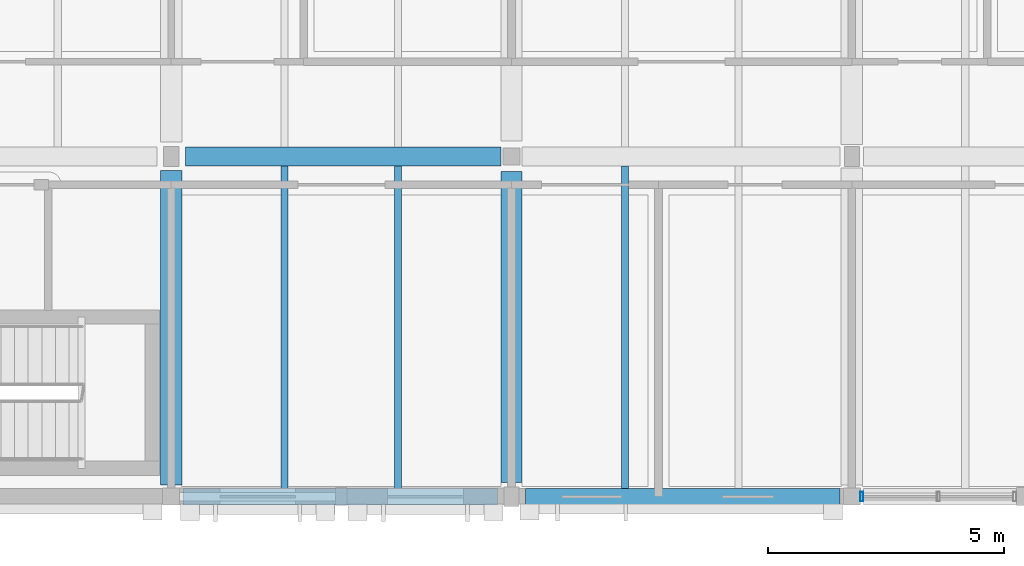
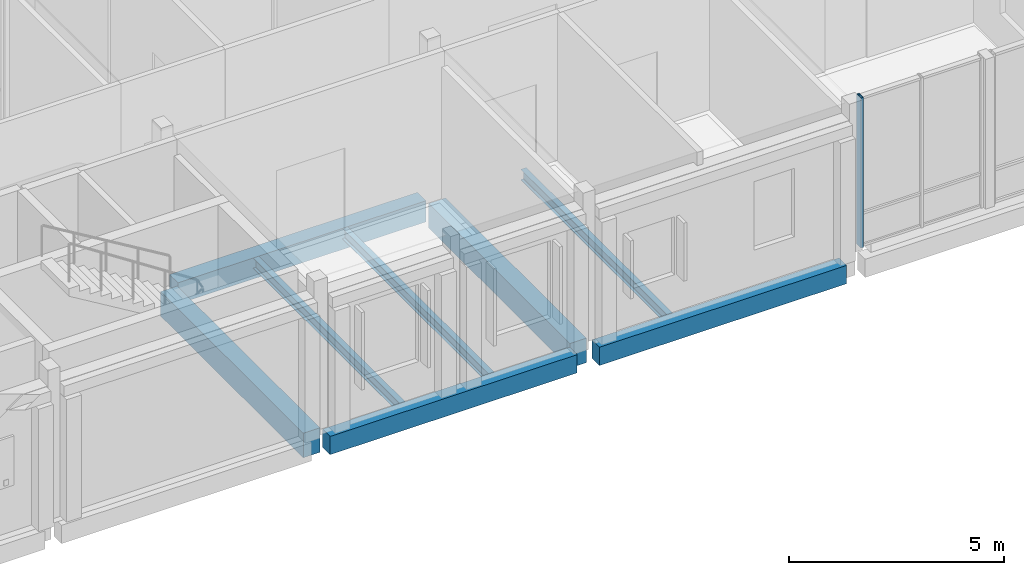
# One storey, part 18 of 146: 8 beams, 1 member, 1 element without a shape of its own.
"""IFC4 building model written with IfcOpenShell, lengths in metres."""

from ifc_helpers import new_model, si_unit, direction, frame, origin, origin_2d, place, context, subcontext, project, spatial, rectangle, hollow_rectangle, i_section, extrude, material, material_profile, profile_set, type_object, element, aggregate, save


model = new_model("IFC4")

# Units and contexts
model_context = context("Model", 3, precision=1e-05, world=origin(), true_north=direction((0.0, 1.0)))
body_context = subcontext(model_context, "Body", "Model", "MODEL_VIEW")
ifc_project = project(units=[si_unit("LENGTHUNIT", "METRE"), si_unit("AREAUNIT", "SQUARE_METRE"), si_unit("VOLUMEUNIT", "CUBIC_METRE"), si_unit("PLANEANGLEUNIT", "RADIAN"), si_unit("MASSUNIT", "GRAM", prefix="KILO")], contexts=[model_context])

# Site, building, storey
site_placement = place(None, origin())
site = spatial("IfcSite", under=ifc_project, at=site_placement, CompositionType="ELEMENT")
building_placement = place(site_placement, origin())
building = spatial("IfcBuilding", under=site, at=building_placement, Name="Hawrajan Terrace Health Centre", CompositionType="ELEMENT")
storey_placement = place(building_placement, frame((0.0, 0.0, 4.5)))
storey = spatial("IfcBuildingStorey", under=building, at=storey_placement, Name="L01", CompositionType="ELEMENT", Elevation=4.5)

# Curtain wall, member
ifc_material_1 = material(Name="Anodized bronze aluminium and low-E solar glazing", Category="aluminium")
curtain_wall_type = type_object("IfcCurtainWallType", Name="CW_Pavilion_SeriesE2", PredefinedType="USERDEFINED", material=ifc_material_1)
curtain_wall_placement = place(storey_placement, origin())
curtain_wall = element("IfcCurtainWall", 1, at=curtain_wall_placement, inside=storey, type_object=curtain_wall_type, Name="Curtain wall CW-L01-061", ObjectType="UNITISED CURTAIN WALL", PredefinedType="USERDEFINED")
ifc_material_2 = material(Name="Anodized bronze aluminium 6063-T6", Category="aluminium")
ifc_material_profile_1 = material_profile(ifc_material_2, hollow_rectangle(XDim=0.06494140625, YDim=0.199951171875, WallThickness=0.00439453125, at=origin_2d()), Name="CW MUL 65x200")
ifc_profile_set_1 = profile_set([ifc_material_profile_1], Name="Anodized bronze aluminium 6063-T6")
member_type = type_object("IfcMemberType", Name="CWMullion_65x200", PredefinedType="MULLION", material=ifc_profile_set_1)
member_placement = place(storey_placement, frame((33.612548828125, 4.199951171875, -0.0048828125), z_axis=(0.0, 0.0, 1.0), x_axis=(1.0, 0.0, 0.0)))
member = element("IfcMember", 2, at=member_placement, type_object=member_type, Name="Mullion CW-L01-061-M1", PredefinedType="MULLION", context=body_context, shape_type="SweptSolid", body=[
    extrude(hollow_rectangle(XDim=0.06494140625, YDim=0.199951171875, WallThickness=0.00439453125, at=origin_2d()), origin(), (0.0, 0.0, 1.0), 4.269775390625),
])
aggregate(curtain_wall, [member])

# Beams
ifc_material_3 = material(Name="Concrete C40/50", Category="concrete")
ifc_material_profile_2 = material_profile(ifc_material_3, rectangle(XDim=0.39990234375, YDim=0.60009765625, at=origin_2d()), Name="RC BM 400x600")
ifc_profile_set_2 = profile_set([ifc_material_profile_2], Name="Concrete C40/50")
beam_type_1 = type_object("IfcBeamType", Name="RCGirder_400x600", PredefinedType="BEAM", material=ifc_profile_set_2)
beam_1_placement = place(storey_placement, frame((19.300048828125, 11.39990234375, -0.60009765625), z_axis=(1.0, 0.0, 0.0), x_axis=(0.0, 1.0, 0.0)))
element("IfcBeam", 3, at=beam_1_placement, inside=storey, type_object=beam_type_1, Name="Beam BM-X-L01-W-03-Y2", PredefinedType="BEAM", context=body_context, shape_type="SweptSolid", body=[
    extrude(rectangle(XDim=0.39990234375, YDim=0.60009765625, at=origin_2d()), origin(), (0.0, 0.0, 1.0), 6.675048828125),
])
ifc_material_profile_3 = material_profile(ifc_material_3, rectangle(XDim=0.449951171875, YDim=0.699951171875, at=origin_2d()), Name="RC BM 450x700")
ifc_profile_set_3 = profile_set([ifc_material_profile_3], Name="Concrete C40/50")
beam_type_2 = type_object("IfcBeamType", Name="RCGirder_450x700", PredefinedType="BEAM", material=ifc_profile_set_3)
beam_2_placement = place(storey_placement, frame((19.0, 4.449951171875, -0.64990234375), z_axis=(0.0, 1.0, 0.0), x_axis=(-1.0, 0.0, 0.0)))
element("IfcBeam", 4, at=beam_2_placement, inside=storey, type_object=beam_type_2, Name="Beam BM-Y-L01-W-X03-1", PredefinedType="BEAM", context=body_context, shape_type="SweptSolid", body=[
    extrude(rectangle(XDim=0.449951171875, YDim=0.699951171875, at=origin_2d()), origin(), (0.0, 0.0, 1.0), 6.650146484375),
])
beam_3_placement = place(storey_placement, frame((26.199951171875, 4.5, -0.64990234375), z_axis=(0.0, 1.0, 0.0), x_axis=(-1.0, 0.0, 0.0)))
element("IfcBeam", 5, at=beam_3_placement, inside=storey, type_object=beam_type_2, Name="Beam BM-Y-L01-W-X04-1", PredefinedType="BEAM", context=body_context, shape_type="SweptSolid", body=[
    extrude(rectangle(XDim=0.449951171875, YDim=0.699951171875, at=origin_2d()), origin(), (0.0, 0.0, 1.0), 6.574951171875),
])
ifc_material_profile_4 = material_profile(ifc_material_3, rectangle(XDim=0.35009765625, YDim=0.52001953125, at=origin_2d()), Name="RC SP 350x520")
ifc_profile_set_4 = profile_set([ifc_material_profile_4], Name="Concrete C40/50")
beam_type_3 = type_object("IfcBeamType", Name="RCSpandrel_350x520", PredefinedType="SPANDREL", material=ifc_profile_set_4)
for number, where, z_axis, x_axis, name in (
    (6, (19.25, 4.199951171875, -0.56005859375), (1.0, 0.0, 0.0), (0.0, 1.0, 0.0), "Beam BM-X-L01-W-03-Y1"),
    (7, (26.5, 4.199951171875, -0.56005859375), (1.0, 0.0, 0.0), (0.0, 1.0, 0.0), "Beam BM-X-L01-W-04-Y1"),
):
    element("IfcBeam", number, at=place(storey_placement, frame(where, z_axis=z_axis, x_axis=x_axis)), inside=storey, type_object=beam_type_3, Name=name, PredefinedType="SPANDREL", context=body_context, shape_type="SweptSolid", body=[
        extrude(rectangle(XDim=0.35009765625, YDim=0.52001953125, at=origin_2d()), origin(), (0.0, 0.0, 1.0), 6.64990234375),
    ])
ifc_material_4 = material(Name="Steel S355", Category="steel")
ifc_material_profile_5 = material_profile(ifc_material_4, i_section(OverallWidth=0.14990234375, OverallDepth=0.300048828125, WebThickness=0.007080078125, FlangeThickness=0.0107421875, FilletRadius=0.014892578125, at=origin_2d()), Name="IPE 300")
ifc_profile_set_5 = profile_set([ifc_material_profile_5], Name="Steel S355")
beam_type_4 = type_object("IfcBeamType", Name="SteelBeam_IPE300", PredefinedType="JOIST", material=ifc_profile_set_5)
for number, where, z_axis, x_axis, name in (
    (8, (21.39990234375, 4.375, -0.449951171875), (0.0, 1.0, 0.0), (-1.0, 0.0, 0.0), "Secondary joist JST-L01-W-03-1-1"),
    (9, (23.800048828125, 4.375, -0.449951171875), (0.0, 1.0, 0.0), (-1.0, 0.0, 0.0), "Secondary joist JST-L01-W-03-1-2"),
    (10, (28.60009765625, 4.375, -0.449951171875), (0.0, 1.0, 0.0), (-1.0, 0.0, 0.0), "Secondary joist JST-L01-W-04-1-1"),
):
    element("IfcBeam", number, at=place(storey_placement, frame(where, z_axis=z_axis, x_axis=x_axis)), inside=storey, type_object=beam_type_4, Name=name, PredefinedType="JOIST", context=body_context, shape_type="SweptSolid", body=[
        extrude(i_section(OverallWidth=0.14990234375, OverallDepth=0.300048828125, WebThickness=0.007080078125, FlangeThickness=0.0107421875, FilletRadius=0.014892578125, at=origin_2d()), origin(), (0.0, 0.0, 1.0), 6.824951171875),
    ])

save(model, "model.ifc")
